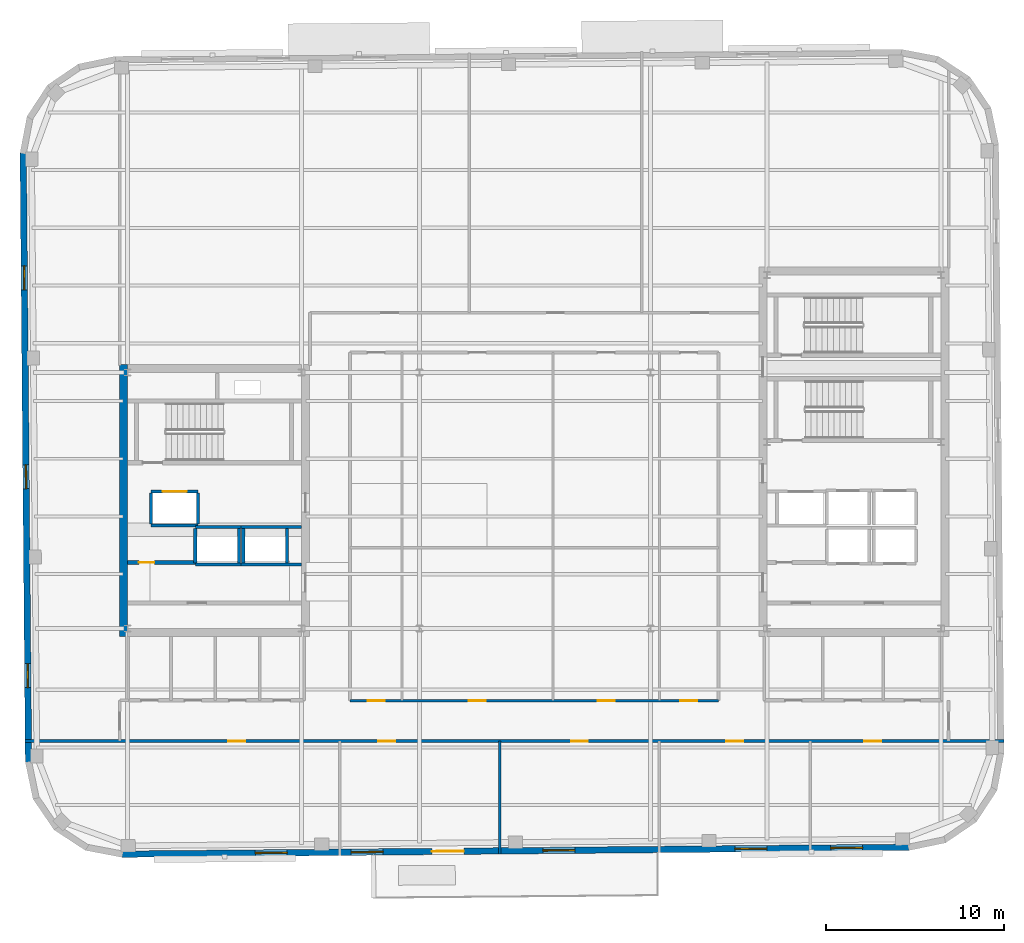
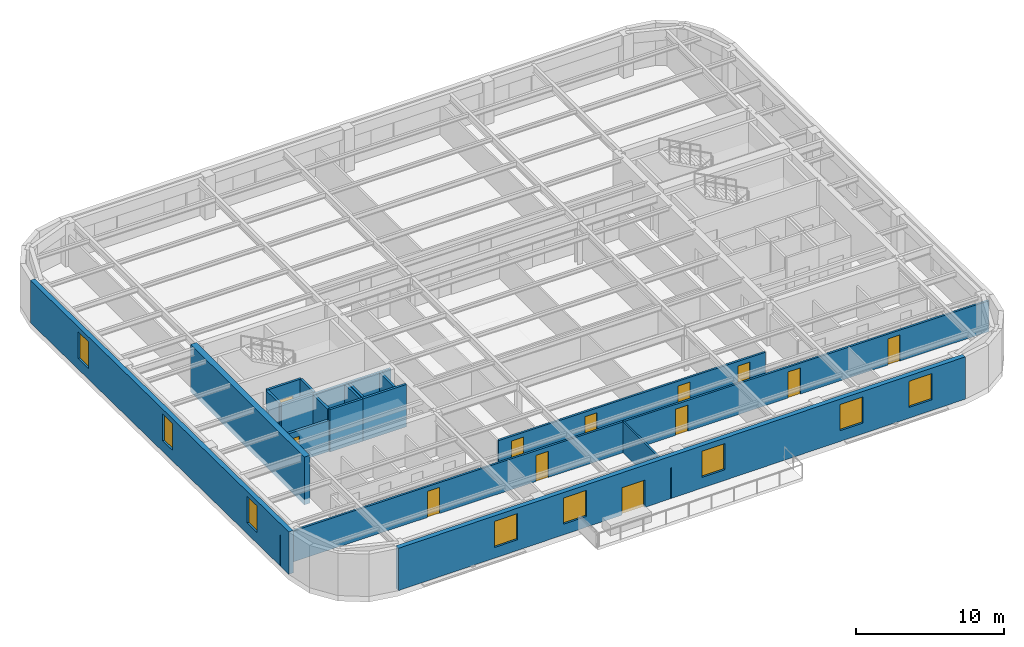
# One storey, part 7 of 14: 19 walls, 12 doors, 8 windows, 20 openings.
"""IFC4 building model written with IfcOpenShell, lengths in metres."""

from ifc_helpers import new_model, si_unit, direction, frame, frame_2d, origin, place, context, subcontext, project, spatial, rectangle, extrude, material, layer, layer_set, type_object, element, fill, save


model = new_model("IFC4")

# Units and contexts
model_context = context("Model", 3, precision=1e-05, world=origin(), true_north=direction((0.0, 1.0)))
body_context = subcontext(model_context, "Body", "Model", "MODEL_VIEW")
ifc_project = project(units=[si_unit("LENGTHUNIT", "METRE"), si_unit("AREAUNIT", "SQUARE_METRE"), si_unit("VOLUMEUNIT", "CUBIC_METRE"), si_unit("PLANEANGLEUNIT", "RADIAN"), si_unit("MASSUNIT", "GRAM", prefix="KILO")], contexts=[model_context])

# Site, building, storey
site_placement = place(None, origin())
site = spatial("IfcSite", under=ifc_project, at=site_placement, CompositionType="ELEMENT")
building_placement = place(site_placement, origin())
building = spatial("IfcBuilding", under=site, at=building_placement, Name="Kolvaren Arena Tower", CompositionType="ELEMENT")
storey_placement = place(building_placement, frame((0.0, 0.0, 274.89990234375)))
storey = spatial("IfcBuildingStorey", under=building, at=storey_placement, Name="L67", CompositionType="ELEMENT", Elevation=274.89990234375)

# Wall, openings, doors
ifc_material_1 = material(Name="Gypsum board acoustic assembly", Category="gypsum")
ifc_layer_1 = layer(ifc_material_1, 0.159912109375)
ifc_layer_set_1 = layer_set([ifc_layer_1], Name="Gypsum board acoustic assembly")
wall_type_1 = type_object("IfcWallType", Name="CORR-160", PredefinedType="PARTITIONING", material=ifc_layer_set_1)
wall_1_placement = place(storey_placement, frame((8.790283203125, 13.10009765625, 0.0), z_axis=(0.0, 0.0, 1.0), x_axis=(1.0, 0.0, 0.0)))
wall_1 = element("IfcWall", 1, at=wall_1_placement, inside=storey, type_object=wall_type_1, Name="Interior Partition Wall (L67)", PredefinedType="PARTITIONING", context=body_context, shape_type="SweptSolid", body=[
    extrude(rectangle(XDim=55.10205078125, YDim=0.159912109375, at=frame_2d((27.551025390625, 0.0))), origin(), (0.0, 0.0, 1.0), 2.5400390625),
])
opening_1_placement = place(wall_1_placement, frame((11.434814453125, 0.0, 0.0)))
opening_1 = element("IfcOpeningElement", 2, at=opening_1_placement, cuts=wall_1, Name="Opening D05", PredefinedType="OPENING", context=body_context, shape_type="SweptSolid", body=[
    extrude(rectangle(XDim=0.949951171875, YDim=2.14990234375, at=frame_2d((0.47509765625, 1.074951171875))), frame((0.0, 0.08984375, 0.0), z_axis=(0.0, -1.0, 0.0), x_axis=(1.0, 0.0, 0.0)), (0.0, 0.0, 1.0), 0.179931640625),
])
opening_2_placement = place(wall_1_placement, frame((19.884765625, 0.0, 0.0)))
opening_2 = element("IfcOpeningElement", 3, at=opening_2_placement, cuts=wall_1, Name="Opening D05", PredefinedType="OPENING", context=body_context, shape_type="SweptSolid", body=[
    extrude(rectangle(XDim=0.949951171875, YDim=2.14990234375, at=frame_2d((0.47509765625, 1.074951171875))), frame((0.0, 0.08984375, 0.0), z_axis=(0.0, -1.0, 0.0), x_axis=(1.0, 0.0, 0.0)), (0.0, 0.0, 1.0), 0.179931640625),
])
opening_3_placement = place(wall_1_placement, frame((30.734619140625, 0.0, 0.0)))
opening_3 = element("IfcOpeningElement", 4, at=opening_3_placement, cuts=wall_1, Name="Opening D05", PredefinedType="OPENING", context=body_context, shape_type="SweptSolid", body=[
    extrude(rectangle(XDim=0.949951171875, YDim=2.14990234375, at=frame_2d((0.47509765625, 1.074951171875))), frame((0.0, 0.08984375, 0.0), z_axis=(0.0, -1.0, 0.0), x_axis=(1.0, 0.0, 0.0)), (0.0, 0.0, 1.0), 0.179931640625),
])
opening_4_placement = place(wall_1_placement, frame((39.484619140625, 0.0, 0.0)))
opening_4 = element("IfcOpeningElement", 5, at=opening_4_placement, cuts=wall_1, Name="Opening D05", PredefinedType="OPENING", context=body_context, shape_type="SweptSolid", body=[
    extrude(rectangle(XDim=0.949951171875, YDim=2.14990234375, at=frame_2d((0.47509765625, 1.074951171875))), frame((0.0, 0.08984375, 0.0), z_axis=(0.0, -1.0, 0.0), x_axis=(1.0, 0.0, 0.0)), (0.0, 0.0, 1.0), 0.179931640625),
])
opening_5_placement = place(wall_1_placement, frame((47.234619140625, 0.0, 0.0)))
opening_5 = element("IfcOpeningElement", 6, at=opening_5_placement, cuts=wall_1, Name="Opening D05", PredefinedType="OPENING", context=body_context, shape_type="SweptSolid", body=[
    extrude(rectangle(XDim=0.949951171875, YDim=2.14990234375, at=frame_2d((0.47509765625, 1.074951171875))), frame((0.0, 0.08984375, 0.0), z_axis=(0.0, -1.0, 0.0), x_axis=(1.0, 0.0, 0.0)), (0.0, 0.0, 1.0), 0.179931640625),
])
ifc_material_2 = material(Name="Solid-core oak acoustic office door", Category="wood")
door_type_1 = type_object("IfcDoorType", Name="DOOR-OF-095", OperationType="NOTDEFINED", PredefinedType="DOOR", material=ifc_material_2)
door_1_placement = place(opening_1_placement, origin())
door_1 = element("IfcDoor", 7, at=door_1_placement, inside=storey, type_object=door_type_1, Name="Client Lounge Door (L67)", OperationType="SINGLE_SWING_LEFT", OverallHeight=2.14990234375, OverallWidth=0.949951171875, PredefinedType="DOOR", context=body_context, shape_type="SweptSolid", body=[
    extrude(rectangle(XDim=0.949951171875, YDim=2.14990234375, at=frame_2d((0.47509765625, 1.074951171875))), frame((0.0, 0.02490234375, 0.0), z_axis=(0.0, -1.0, 0.0), x_axis=(1.0, 0.0, 0.0)), (0.0, 0.0, 1.0), 0.050048828125),
])
fill(opening_1, door_1)
door_2_placement = place(opening_2_placement, origin())
door_2 = element("IfcDoor", 8, at=door_2_placement, inside=storey, type_object=door_type_1, Name="Training Seminar Room Door (L67)", OperationType="SINGLE_SWING_RIGHT", OverallHeight=2.14990234375, OverallWidth=0.949951171875, PredefinedType="DOOR", context=body_context, shape_type="SweptSolid", body=[
    extrude(rectangle(XDim=0.949951171875, YDim=2.14990234375, at=frame_2d((0.47509765625, 1.074951171875))), frame((0.0, 0.02490234375, 0.0), z_axis=(0.0, -1.0, 0.0), x_axis=(1.0, 0.0, 0.0)), (0.0, 0.0, 1.0), 0.050048828125),
])
fill(opening_2, door_2)
door_3_placement = place(opening_3_placement, origin())
door_3 = element("IfcDoor", 9, at=door_3_placement, inside=storey, type_object=door_type_1, Name="Wellness Room Door (L67)", OperationType="SINGLE_SWING_LEFT", OverallHeight=2.14990234375, OverallWidth=0.949951171875, PredefinedType="DOOR", context=body_context, shape_type="SweptSolid", body=[
    extrude(rectangle(XDim=0.949951171875, YDim=2.14990234375, at=frame_2d((0.47509765625, 1.074951171875))), frame((0.0, 0.02490234375, 0.0), z_axis=(0.0, -1.0, 0.0), x_axis=(1.0, 0.0, 0.0)), (0.0, 0.0, 1.0), 0.050048828125),
])
fill(opening_3, door_3)
door_4_placement = place(opening_4_placement, origin())
door_4 = element("IfcDoor", 10, at=door_4_placement, inside=storey, type_object=door_type_1, Name="Executive Office Door (L67)", OperationType="SINGLE_SWING_RIGHT", OverallHeight=2.14990234375, OverallWidth=0.949951171875, PredefinedType="DOOR", context=body_context, shape_type="SweptSolid", body=[
    extrude(rectangle(XDim=0.949951171875, YDim=2.14990234375, at=frame_2d((0.47509765625, 1.074951171875))), frame((0.0, 0.02490234375, 0.0), z_axis=(0.0, -1.0, 0.0), x_axis=(1.0, 0.0, 0.0)), (0.0, 0.0, 1.0), 0.050048828125),
])
fill(opening_4, door_4)
door_5_placement = place(opening_5_placement, origin())
door_5 = element("IfcDoor", 11, at=door_5_placement, inside=storey, type_object=door_type_1, Name="Boardroom Door (L67)", OperationType="SINGLE_SWING_LEFT", OverallHeight=2.14990234375, OverallWidth=0.949951171875, PredefinedType="DOOR", context=body_context, shape_type="SweptSolid", body=[
    extrude(rectangle(XDim=0.949951171875, YDim=2.14990234375, at=frame_2d((0.47509765625, 1.074951171875))), frame((0.0, 0.02490234375, 0.0), z_axis=(0.0, -1.0, 0.0), x_axis=(1.0, 0.0, 0.0)), (0.0, 0.0, 1.0), 0.050048828125),
])
fill(opening_5, door_5)

wall_2_placement = place(storey_placement, frame((27.080078125, 15.3798828125, 0.0), z_axis=(0.0, 0.0, 1.0), x_axis=(1.0, 0.0, 0.0)))
wall_2 = element("IfcWall", 12, at=wall_2_placement, inside=storey, type_object=wall_type_1, Name="Interior Partition Wall (L67)", PredefinedType="PARTITIONING", context=body_context, shape_type="SweptSolid", body=[
    extrude(rectangle(XDim=20.739990234375, YDim=0.159912109375, at=frame_2d((10.3701171875, 0.0))), origin(), (0.0, 0.0, 1.0), 2.5400390625),
])
opening_6_placement = place(wall_2_placement, frame((0.9951171875, 0.0, 0.0)))
opening_6 = element("IfcOpeningElement", 13, at=opening_6_placement, cuts=wall_2, Name="Opening D05", PredefinedType="OPENING", context=body_context, shape_type="SweptSolid", body=[
    extrude(rectangle(XDim=0.949951171875, YDim=2.14990234375, at=frame_2d((0.47509765625, 1.074951171875))), frame((0.0, 0.08984375, 0.0), z_axis=(0.0, -1.0, 0.0), x_axis=(1.0, 0.0, 0.0)), (0.0, 0.0, 1.0), 0.179931640625),
])
opening_7_placement = place(wall_2_placement, frame((6.695068359375, 0.0, 0.0)))
opening_7 = element("IfcOpeningElement", 14, at=opening_7_placement, cuts=wall_2, Name="Opening D05", PredefinedType="OPENING", context=body_context, shape_type="SweptSolid", body=[
    extrude(rectangle(XDim=0.949951171875, YDim=2.14990234375, at=frame_2d((0.47509765625, 1.074951171875))), frame((0.0, 0.08984375, 0.0), z_axis=(0.0, -1.0, 0.0), x_axis=(1.0, 0.0, 0.0)), (0.0, 0.0, 1.0), 0.179931640625),
])
opening_8_placement = place(wall_2_placement, frame((13.945068359375, 0.0, 0.0)))
opening_8 = element("IfcOpeningElement", 15, at=opening_8_placement, cuts=wall_2, Name="Opening D05", PredefinedType="OPENING", context=body_context, shape_type="SweptSolid", body=[
    extrude(rectangle(XDim=0.949951171875, YDim=2.14990234375, at=frame_2d((0.47509765625, 1.074951171875))), frame((0.0, 0.08984375, 0.0), z_axis=(0.0, -1.0, 0.0), x_axis=(1.0, 0.0, 0.0)), (0.0, 0.0, 1.0), 0.179931640625),
])
opening_9_placement = place(wall_2_placement, frame((18.594970703125, 0.0, 0.0)))
opening_9 = element("IfcOpeningElement", 16, at=opening_9_placement, cuts=wall_2, Name="Opening D05", PredefinedType="OPENING", context=body_context, shape_type="SweptSolid", body=[
    extrude(rectangle(XDim=0.949951171875, YDim=2.14990234375, at=frame_2d((0.47509765625, 1.074951171875))), frame((0.0, 0.08984375, 0.0), z_axis=(0.0, -1.0, 0.0), x_axis=(1.0, 0.0, 0.0)), (0.0, 0.0, 1.0), 0.179931640625),
])
door_6_placement = place(opening_6_placement, origin())
door_6 = element("IfcDoor", 17, at=door_6_placement, inside=storey, type_object=door_type_1, Name="Executive Office Door (L67)", OperationType="SINGLE_SWING_RIGHT", OverallHeight=2.14990234375, OverallWidth=0.949951171875, PredefinedType="DOOR", context=body_context, shape_type="SweptSolid", body=[
    extrude(rectangle(XDim=0.949951171875, YDim=2.14990234375, at=frame_2d((0.47509765625, 1.074951171875))), frame((0.0, 0.02490234375, 0.0), z_axis=(0.0, -1.0, 0.0), x_axis=(1.0, 0.0, 0.0)), (0.0, 0.0, 1.0), 0.050048828125),
])
fill(opening_6, door_6)
door_7_placement = place(opening_7_placement, origin())
door_7 = element("IfcDoor", 18, at=door_7_placement, inside=storey, type_object=door_type_1, Name="Breakout Pantry and Kitchen Door (L67)", OperationType="SINGLE_SWING_RIGHT", OverallHeight=2.14990234375, OverallWidth=0.949951171875, PredefinedType="DOOR", context=body_context, shape_type="SweptSolid", body=[
    extrude(rectangle(XDim=0.949951171875, YDim=2.14990234375, at=frame_2d((0.47509765625, 1.074951171875))), frame((0.0, 0.02490234375, 0.0), z_axis=(0.0, -1.0, 0.0), x_axis=(1.0, 0.0, 0.0)), (0.0, 0.0, 1.0), 0.050048828125),
])
fill(opening_7, door_7)
door_8_placement = place(opening_8_placement, origin())
door_8 = element("IfcDoor", 19, at=door_8_placement, inside=storey, type_object=door_type_1, Name="Training Seminar Room Door (L67)", OperationType="SINGLE_SWING_RIGHT", OverallHeight=2.14990234375, OverallWidth=0.949951171875, PredefinedType="DOOR", context=body_context, shape_type="SweptSolid", body=[
    extrude(rectangle(XDim=0.949951171875, YDim=2.14990234375, at=frame_2d((0.47509765625, 1.074951171875))), frame((0.0, 0.02490234375, 0.0), z_axis=(0.0, -1.0, 0.0), x_axis=(1.0, 0.0, 0.0)), (0.0, 0.0, 1.0), 0.050048828125),
])
fill(opening_8, door_8)
door_9_placement = place(opening_9_placement, origin())
door_9 = element("IfcDoor", 20, at=door_9_placement, inside=storey, type_object=door_type_1, Name="Executive Office Door (L67)", OperationType="SINGLE_SWING_RIGHT", OverallHeight=2.14990234375, OverallWidth=0.949951171875, PredefinedType="DOOR", context=body_context, shape_type="SweptSolid", body=[
    extrude(rectangle(XDim=0.949951171875, YDim=2.14990234375, at=frame_2d((0.47509765625, 1.074951171875))), frame((0.0, 0.02490234375, 0.0), z_axis=(0.0, -1.0, 0.0), x_axis=(1.0, 0.0, 0.0)), (0.0, 0.0, 1.0), 0.050048828125),
])
fill(opening_9, door_9)

# Wall
ifc_material_3 = material(Name="Concrete 55 MPa", Category="concrete")
ifc_layer_2 = layer(ifc_material_3, 0.449951171875)
ifc_layer_set_2 = layer_set([ifc_layer_2], Name="Concrete 55 MPa")
wall_type_2 = type_object("IfcWallType", Name="CWALL-450", PredefinedType="SHEAR", material=ifc_layer_set_2)
wall_3_placement = place(storey_placement, frame((14.324951171875, 19.0, -0.449951171875), z_axis=(0.0, 0.0, 1.0), x_axis=(0.0, 1.0, 0.0)))
element("IfcWall", 21, at=wall_3_placement, inside=storey, type_object=wall_type_2, Name="Core Shear Wall WC-WEST (L67)", PredefinedType="SHEAR", context=body_context, shape_type="SweptSolid", body=[
    extrude(rectangle(XDim=15.300048828125, YDim=0.449951171875, at=frame_2d((7.64990234375, 0.0))), origin(), (0.0, 0.0, 1.0), 3.929931640625),
])

# Wall, openings, windows
ifc_material_4 = material(Name="Precast concrete C50/60", Category="concrete")
ifc_layer_3 = layer(ifc_material_4, 0.360107421875)
ifc_layer_set_3 = layer_set([ifc_layer_3], Name="Precast concrete C50/60")
wall_type_3 = type_object("IfcWallType", Name="EXT-PIER2", PredefinedType="SOLIDWALL", material=ifc_layer_set_3)
wall_4_placement = place(storey_placement, frame((8.980712890625, 11.911865234375, 0.0), z_axis=(0.0, 0.0, 1.0), x_axis=(-0.008726453825, 0.999961923777, 0.0)))
wall_4 = element("IfcWall", 22, at=wall_4_placement, inside=storey, type_object=wall_type_3, Name="Exterior Precast Masonry-Frame Wall (L67)", PredefinedType="SOLIDWALL", context=body_context, shape_type="SweptSolid", body=[
    extrude(rectangle(XDim=34.2998046875, YDim=0.360107421875, at=frame_2d((17.14990234375, 0.0))), origin(), (0.0, 0.0, 1.0), 3.47998046875),
])
opening_10_placement = place(wall_4_placement, frame((4.199951171875, 0.0, 0.8798828125)))
opening_10 = element("IfcOpeningElement", 23, at=opening_10_placement, cuts=wall_4, Name="Opening W04", PredefinedType="OPENING", context=body_context, shape_type="SweptSolid", body=[
    extrude(rectangle(XDim=1.35009765625, YDim=2.199951171875, at=frame_2d((0.675048828125, 1.10009765625))), frame((0.0, 0.18994140625, 0.0), z_axis=(0.0, -1.0, 0.0), x_axis=(1.0, 0.0, 0.0)), (0.0, 0.0, 1.0), 0.380126953125),
])
opening_11_placement = place(wall_4_placement, frame((15.39990234375, 0.0, 0.8798828125)))
opening_11 = element("IfcOpeningElement", 24, at=opening_11_placement, cuts=wall_4, Name="Opening W04", PredefinedType="OPENING", context=body_context, shape_type="SweptSolid", body=[
    extrude(rectangle(XDim=1.35009765625, YDim=2.199951171875, at=frame_2d((0.675048828125, 1.10009765625))), frame((0.0, 0.18994140625, 0.0), z_axis=(0.0, -1.0, 0.0), x_axis=(1.0, 0.0, 0.0)), (0.0, 0.0, 1.0), 0.380126953125),
])
opening_12_placement = place(wall_4_placement, frame((26.60009765625, 0.0, 0.8798828125)))
opening_12 = element("IfcOpeningElement", 25, at=opening_12_placement, cuts=wall_4, Name="Opening W04", PredefinedType="OPENING", context=body_context, shape_type="SweptSolid", body=[
    extrude(rectangle(XDim=1.35009765625, YDim=2.199951171875, at=frame_2d((0.675048828125, 1.10009765625))), frame((0.0, 0.18994140625, 0.0), z_axis=(0.0, -1.0, 0.0), x_axis=(1.0, 0.0, 0.0)), (0.0, 0.0, 1.0), 0.380126953125),
])
ifc_material_5 = material(Name="Triple-glazed curved-facet corner window", Category="glass")
window_type_1 = type_object("IfcWindowType", Name="WIN-CRN-A", PartitioningType="SINGLE_PANEL", PredefinedType="WINDOW", material=ifc_material_5)
window_1_placement = place(opening_10_placement, origin())
window_1 = element("IfcWindow", 26, at=window_1_placement, inside=storey, type_object=window_type_1, Name="End-Wall Punched Window (L67)", OverallHeight=2.199951171875, OverallWidth=1.35009765625, PartitioningType="SINGLE_PANEL", PredefinedType="WINDOW", context=body_context, shape_type="SweptSolid", body=[
    extrude(rectangle(XDim=1.35009765625, YDim=2.199951171875, at=frame_2d((0.675048828125, 1.10009765625))), frame((0.0, 0.030029296875, 0.0), z_axis=(0.0, -1.0, 0.0), x_axis=(1.0, 0.0, 0.0)), (0.0, 0.0, 1.0), 0.06005859375),
])
fill(opening_10, window_1)
window_2_placement = place(opening_11_placement, origin())
window_2 = element("IfcWindow", 27, at=window_2_placement, inside=storey, type_object=window_type_1, Name="End-Wall Punched Window (L67)", OverallHeight=2.199951171875, OverallWidth=1.35009765625, PartitioningType="SINGLE_PANEL", PredefinedType="WINDOW", context=body_context, shape_type="SweptSolid", body=[
    extrude(rectangle(XDim=1.35009765625, YDim=2.199951171875, at=frame_2d((0.675048828125, 1.10009765625))), frame((0.0, 0.030029296875, 0.0), z_axis=(0.0, -1.0, 0.0), x_axis=(1.0, 0.0, 0.0)), (0.0, 0.0, 1.0), 0.06005859375),
])
fill(opening_11, window_2)
window_3_placement = place(opening_12_placement, origin())
window_3 = element("IfcWindow", 28, at=window_3_placement, inside=storey, type_object=window_type_1, Name="End-Wall Punched Window (L67)", OverallHeight=2.199951171875, OverallWidth=1.35009765625, PartitioningType="SINGLE_PANEL", PredefinedType="WINDOW", context=body_context, shape_type="SweptSolid", body=[
    extrude(rectangle(XDim=1.35009765625, YDim=2.199951171875, at=frame_2d((0.675048828125, 1.10009765625))), frame((0.0, 0.030029296875, 0.0), z_axis=(0.0, -1.0, 0.0), x_axis=(1.0, 0.0, 0.0)), (0.0, 0.0, 1.0), 0.06005859375),
])
fill(opening_12, window_3)

# Wall, openings, door, windows
wall_5_placement = place(storey_placement, frame((58.544189453125, 7.124267578125, 0.0), z_axis=(0.0, 0.0, 1.0), x_axis=(-0.999961896442, -0.008729585516, 0.0)))
wall_5 = element("IfcWall", 29, at=wall_5_placement, inside=storey, type_object=wall_type_3, Name="Exterior Precast Masonry-Frame Wall (L67)", PredefinedType="SOLIDWALL", context=body_context, shape_type="SweptSolid", body=[
    extrude(rectangle(XDim=44.2998046875, YDim=0.360107421875, at=frame_2d((22.14990234375, 0.0))), origin(), (0.0, 0.0, 1.0), 3.47998046875),
])
opening_13_placement = place(wall_5_placement, frame((25.050048828125, 0.0, 0.0)))
opening_13 = element("IfcOpeningElement", 30, at=opening_13_placement, cuts=wall_5, Name="Opening D10", PredefinedType="OPENING", context=body_context, shape_type="SweptSolid", body=[
    extrude(rectangle(XDim=1.800048828125, YDim=2.25, at=frame_2d((0.89990234375, 1.125))), frame((0.0, 0.18994140625, 0.0), z_axis=(0.0, -1.0, 0.0), x_axis=(1.0, 0.0, 0.0)), (0.0, 0.0, 1.0), 0.380126953125),
])
opening_14_placement = place(wall_5_placement, frame((2.60009765625, 0.0, 0.8798828125)))
opening_14 = element("IfcOpeningElement", 31, at=opening_14_placement, cuts=wall_5, Name="Opening W02", PredefinedType="OPENING", context=body_context, shape_type="SweptSolid", body=[
    extrude(rectangle(XDim=1.800048828125, YDim=2.14990234375, at=frame_2d((0.89990234375, 1.074951171875))), frame((0.0, 0.18994140625, 0.0), z_axis=(0.0, -1.0, 0.0), x_axis=(1.0, 0.0, 0.0)), (0.0, 0.0, 1.0), 0.380126953125),
])
opening_15_placement = place(wall_5_placement, frame((8.0, 0.0, 0.8798828125)))
opening_15 = element("IfcOpeningElement", 32, at=opening_15_placement, cuts=wall_5, Name="Opening W02", PredefinedType="OPENING", context=body_context, shape_type="SweptSolid", body=[
    extrude(rectangle(XDim=1.800048828125, YDim=2.14990234375, at=frame_2d((0.89990234375, 1.074951171875))), frame((0.0, 0.18994140625, 0.0), z_axis=(0.0, -1.0, 0.0), x_axis=(1.0, 0.0, 0.0)), (0.0, 0.0, 1.0), 0.380126953125),
])
opening_16_placement = place(wall_5_placement, frame((18.800048828125, 0.0, 0.8798828125)))
opening_16 = element("IfcOpeningElement", 33, at=opening_16_placement, cuts=wall_5, Name="Opening W02", PredefinedType="OPENING", context=body_context, shape_type="SweptSolid", body=[
    extrude(rectangle(XDim=1.800048828125, YDim=2.14990234375, at=frame_2d((0.89990234375, 1.074951171875))), frame((0.0, 0.18994140625, 0.0), z_axis=(0.0, -1.0, 0.0), x_axis=(1.0, 0.0, 0.0)), (0.0, 0.0, 1.0), 0.380126953125),
])
opening_17_placement = place(wall_5_placement, frame((29.60009765625, 0.0, 0.8798828125)))
opening_17 = element("IfcOpeningElement", 34, at=opening_17_placement, cuts=wall_5, Name="Opening W02", PredefinedType="OPENING", context=body_context, shape_type="SweptSolid", body=[
    extrude(rectangle(XDim=1.800048828125, YDim=2.14990234375, at=frame_2d((0.89990234375, 1.074951171875))), frame((0.0, 0.18994140625, 0.0), z_axis=(0.0, -1.0, 0.0), x_axis=(1.0, 0.0, 0.0)), (0.0, 0.0, 1.0), 0.380126953125),
])
opening_18_placement = place(wall_5_placement, frame((35.0, 0.0, 0.8798828125)))
opening_18 = element("IfcOpeningElement", 35, at=opening_18_placement, cuts=wall_5, Name="Opening W02", PredefinedType="OPENING", context=body_context, shape_type="SweptSolid", body=[
    extrude(rectangle(XDim=1.800048828125, YDim=2.14990234375, at=frame_2d((0.89990234375, 1.074951171875))), frame((0.0, 0.18994140625, 0.0), z_axis=(0.0, -1.0, 0.0), x_axis=(1.0, 0.0, 0.0)), (0.0, 0.0, 1.0), 0.380126953125),
])
ifc_material_6 = material(Name="Thermally broken glazed terrace door", Category="aluminium")
door_type_2 = type_object("IfcDoorType", Name="DOOR-TR-180", OperationType="DOUBLE_DOOR_SINGLE_SWING", PredefinedType="DOOR", material=ifc_material_6)
door_10_placement = place(opening_13_placement, origin())
door_10 = element("IfcDoor", 36, at=door_10_placement, inside=storey, type_object=door_type_2, Name="Setback Roof Terrace Access Door (L67)", OperationType="DOUBLE_DOOR_SINGLE_SWING", OverallHeight=2.25, OverallWidth=1.800048828125, PredefinedType="DOOR", context=body_context, shape_type="SweptSolid", body=[
    extrude(rectangle(XDim=1.800048828125, YDim=2.25, at=frame_2d((0.89990234375, 1.125))), frame((0.0, 0.02490234375, 0.0), z_axis=(0.0, -1.0, 0.0), x_axis=(1.0, 0.0, 0.0)), (0.0, 0.0, 1.0), 0.050048828125),
])
fill(opening_13, door_10)
ifc_material_7 = material(Name="Triple-glazed low-E aluminium window", Category="aluminium")
window_type_2 = type_object("IfcWindowType", Name="WIN-OFF-B", PartitioningType="DOUBLE_PANEL_VERTICAL", PredefinedType="WINDOW", material=ifc_material_7)
window_4_placement = place(opening_14_placement, origin())
window_4 = element("IfcWindow", 37, at=window_4_placement, inside=storey, type_object=window_type_2, Name="Punched Precast-Pier Window (L67)", OverallHeight=2.14990234375, OverallWidth=1.800048828125, PartitioningType="DOUBLE_PANEL_VERTICAL", PredefinedType="WINDOW", context=body_context, shape_type="SweptSolid", body=[
    extrude(rectangle(XDim=1.800048828125, YDim=2.14990234375, at=frame_2d((0.89990234375, 1.074951171875))), frame((0.0, 0.030029296875, 0.0), z_axis=(0.0, -1.0, 0.0), x_axis=(1.0, 0.0, 0.0)), (0.0, 0.0, 1.0), 0.06005859375),
])
fill(opening_14, window_4)
window_5_placement = place(opening_15_placement, origin())
window_5 = element("IfcWindow", 38, at=window_5_placement, inside=storey, type_object=window_type_2, Name="Punched Precast-Pier Window (L67)", OverallHeight=2.14990234375, OverallWidth=1.800048828125, PartitioningType="DOUBLE_PANEL_VERTICAL", PredefinedType="WINDOW", context=body_context, shape_type="SweptSolid", body=[
    extrude(rectangle(XDim=1.800048828125, YDim=2.14990234375, at=frame_2d((0.89990234375, 1.074951171875))), frame((0.0, 0.030029296875, 0.0), z_axis=(0.0, -1.0, 0.0), x_axis=(1.0, 0.0, 0.0)), (0.0, 0.0, 1.0), 0.06005859375),
])
fill(opening_15, window_5)
window_6_placement = place(opening_16_placement, origin())
window_6 = element("IfcWindow", 39, at=window_6_placement, inside=storey, type_object=window_type_2, Name="Punched Precast-Pier Window (L67)", OverallHeight=2.14990234375, OverallWidth=1.800048828125, PartitioningType="DOUBLE_PANEL_VERTICAL", PredefinedType="WINDOW", context=body_context, shape_type="SweptSolid", body=[
    extrude(rectangle(XDim=1.800048828125, YDim=2.14990234375, at=frame_2d((0.89990234375, 1.074951171875))), frame((0.0, 0.030029296875, 0.0), z_axis=(0.0, -1.0, 0.0), x_axis=(1.0, 0.0, 0.0)), (0.0, 0.0, 1.0), 0.06005859375),
])
fill(opening_16, window_6)
window_7_placement = place(opening_17_placement, origin())
window_7 = element("IfcWindow", 40, at=window_7_placement, inside=storey, type_object=window_type_2, Name="Punched Precast-Pier Window (L67)", OverallHeight=2.14990234375, OverallWidth=1.800048828125, PartitioningType="DOUBLE_PANEL_VERTICAL", PredefinedType="WINDOW", context=body_context, shape_type="SweptSolid", body=[
    extrude(rectangle(XDim=1.800048828125, YDim=2.14990234375, at=frame_2d((0.89990234375, 1.074951171875))), frame((0.0, 0.030029296875, 0.0), z_axis=(0.0, -1.0, 0.0), x_axis=(1.0, 0.0, 0.0)), (0.0, 0.0, 1.0), 0.06005859375),
])
fill(opening_17, window_7)
window_8_placement = place(opening_18_placement, origin())
window_8 = element("IfcWindow", 41, at=window_8_placement, inside=storey, type_object=window_type_2, Name="Punched Precast-Pier Window (L67)", OverallHeight=2.14990234375, OverallWidth=1.800048828125, PartitioningType="DOUBLE_PANEL_VERTICAL", PredefinedType="WINDOW", context=body_context, shape_type="SweptSolid", body=[
    extrude(rectangle(XDim=1.800048828125, YDim=2.14990234375, at=frame_2d((0.89990234375, 1.074951171875))), frame((0.0, 0.030029296875, 0.0), z_axis=(0.0, -1.0, 0.0), x_axis=(1.0, 0.0, 0.0)), (0.0, 0.0, 1.0), 0.06005859375),
])
fill(opening_18, window_8)

# Wall, opening, door
ifc_material_8 = material(Name="Concrete 40 MPa", Category="concrete")
ifc_layer_4 = layer(ifc_material_8, 0.199951171875)
ifc_layer_set_4 = layer_set([ifc_layer_4], Name="Concrete 40 MPa")
wall_type_4 = type_object("IfcWallType", Name="LOBBY-200", PredefinedType="SOLIDWALL", material=ifc_layer_set_4)
wall_6_placement = place(storey_placement, frame((14.550048828125, 23.159912109375, 0.0), z_axis=(0.0, 0.0, 1.0), x_axis=(1.0, 0.0, 0.0)))
wall_6 = element("IfcWall", 42, at=wall_6_placement, inside=storey, type_object=wall_type_4, Name="Core Shaft Wall (L67)", PredefinedType="SOLIDWALL", context=body_context, shape_type="SweptSolid", body=[
    extrude(rectangle(XDim=3.820068359375, YDim=0.199951171875, at=frame_2d((1.91015625, 0.0))), origin(), (0.0, 0.0, 1.0), 2.5400390625),
])
opening_19_placement = place(wall_6_placement, frame((0.64990234375, 0.0, 0.0)))
opening_19 = element("IfcOpeningElement", 43, at=opening_19_placement, cuts=wall_6, Name="Opening D09", PredefinedType="OPENING", context=body_context, shape_type="SweptSolid", body=[
    extrude(rectangle(XDim=0.860107421875, YDim=2.050048828125, at=frame_2d((0.43017578125, 1.02490234375))), frame((0.0, 0.10986328125, 0.0), z_axis=(0.0, -1.0, 0.0), x_axis=(1.0, 0.0, 0.0)), (0.0, 0.0, 1.0), 0.219970703125),
])
ifc_material_9 = material(Name="Fire-rated steel riser access door", Category="steel")
door_type_3 = type_object("IfcDoorType", Name="DOOR-RS-086", OperationType="NOTDEFINED", PredefinedType="DOOR", material=ifc_material_9)
door_11_placement = place(opening_19_placement, origin())
door_11 = element("IfcDoor", 44, at=door_11_placement, inside=storey, type_object=door_type_3, Name="West Document Archive Riser Door (L67)", OperationType="SINGLE_SWING_RIGHT", OverallHeight=2.050048828125, OverallWidth=0.860107421875, PredefinedType="DOOR", context=body_context, shape_type="SweptSolid", body=[
    extrude(rectangle(XDim=0.860107421875, YDim=2.050048828125, at=frame_2d((0.43017578125, 1.02490234375))), frame((0.0, 0.02490234375, 0.0), z_axis=(0.0, -1.0, 0.0), x_axis=(1.0, 0.0, 0.0)), (0.0, 0.0, 1.0), 0.050048828125),
])
fill(opening_19, door_11)

# Walls
ifc_material_10 = material(Name="Gypsum board partition assembly", Category="gypsum")
ifc_layer_5 = layer(ifc_material_10, 0.135009765625)
ifc_layer_set_5 = layer_set([ifc_layer_5], Name="Gypsum board partition assembly")
wall_type_5 = type_object("IfcWallType", Name="PART-135", PredefinedType="PARTITIONING", material=ifc_layer_set_5)
wall_7_placement = place(storey_placement, frame((35.5, 6.7431640625, 0.0), z_axis=(0.0, 0.0, 1.0), x_axis=(0.0, 1.0, 0.0)))
element("IfcWall", 45, at=wall_7_placement, inside=storey, type_object=wall_type_5, Name="Interior Partition Wall (L67)", PredefinedType="PARTITIONING", context=body_context, shape_type="SweptSolid", body=[
    extrude(rectangle(XDim=6.35693359375, YDim=0.135009765625, at=frame_2d((3.178466796875, 0.0))), origin(), (0.0, 0.0, 1.0), 2.5400390625),
])
ifc_material_11 = material(Name="Concrete 45 MPa", Category="concrete")
ifc_layer_6 = layer(ifc_material_11, 0.25)
ifc_layer_set_6 = layer_set([ifc_layer_6], Name="Concrete 45 MPa")
wall_type_6 = type_object("IfcWallType", Name="SHAFT-250", PredefinedType="SOLIDWALL", material=ifc_layer_set_6)
for number, where, z_axis, x_axis, name in (
    (46, (18.3701171875, 25.155029296875, 0.0), (0.0, 0.0, 1.0), (1.0, 0.0, 0.0), "Core Shaft Wall (L67)"),
    (47, (18.3701171875, 23.044921875, 0.0), (0.0, 0.0, 1.0), (1.0, 0.0, 0.0), "Core Shaft Wall (L67)"),
):
    element("IfcWall", number, at=place(storey_placement, frame(where, z_axis=z_axis, x_axis=x_axis)), inside=storey, type_object=wall_type_6, Name=name, PredefinedType="SOLIDWALL", context=body_context, shape_type="SweptSolid", body=[
        extrude(rectangle(XDim=2.579833984375, YDim=0.179931640625, at=frame_2d((1.2900390625, 0.0))), origin(), (0.0, 0.0, 1.0), 3.47998046875),
    ])
for number, where, z_axis, x_axis, name in (
    (48, (18.3701171875, 23.135009765625, 0.0), (0.0, 0.0, 1.0), (0.0, 1.0, 0.0), "Core Shaft Wall (L67)"),
    (49, (20.830078125, 23.135009765625, 0.0), (0.0, 0.0, 1.0), (0.0, 1.0, 0.0), "Core Shaft Wall (L67)"),
):
    element("IfcWall", number, at=place(storey_placement, frame(where, z_axis=z_axis, x_axis=x_axis)), inside=storey, type_object=wall_type_6, Name=name, PredefinedType="SOLIDWALL", context=body_context, shape_type="SweptSolid", body=[
        extrude(rectangle(XDim=1.929931640625, YDim=0.179931640625, at=frame_2d((0.96484375, 0.0))), origin(), (0.0, 0.0, 1.0), 3.47998046875),
    ])
for number, where, z_axis, x_axis, name in (
    (50, (20.949951171875, 25.155029296875, 0.0), (0.0, 0.0, 1.0), (1.0, 0.0, 0.0), "Core Shaft Wall (L67)"),
    (51, (20.949951171875, 23.044921875, 0.0), (0.0, 0.0, 1.0), (1.0, 0.0, 0.0), "Core Shaft Wall (L67)"),
):
    element("IfcWall", number, at=place(storey_placement, frame(where, z_axis=z_axis, x_axis=x_axis)), inside=storey, type_object=wall_type_6, Name=name, PredefinedType="SOLIDWALL", context=body_context, shape_type="SweptSolid", body=[
        extrude(rectangle(XDim=3.400146484375, YDim=0.179931640625, at=frame_2d((1.7001953125, 0.0))), origin(), (0.0, 0.0, 1.0), 3.47998046875),
    ])
for number, where, z_axis, x_axis, name in (
    (52, (21.070068359375, 23.135009765625, 0.0), (0.0, 0.0, 1.0), (0.0, 1.0, 0.0), "Core Shaft Wall (L67)"),
    (53, (23.530029296875, 23.135009765625, 0.0), (0.0, 0.0, 1.0), (0.0, 1.0, 0.0), "Core Shaft Wall (L67)"),
):
    element("IfcWall", number, at=place(storey_placement, frame(where, z_axis=z_axis, x_axis=x_axis)), inside=storey, type_object=wall_type_6, Name=name, PredefinedType="SOLIDWALL", context=body_context, shape_type="SweptSolid", body=[
        extrude(rectangle(XDim=1.929931640625, YDim=0.179931640625, at=frame_2d((0.96484375, 0.0))), origin(), (0.0, 0.0, 1.0), 3.47998046875),
    ])

# Wall, opening, door
wall_8_placement = place(storey_placement, frame((15.8701171875, 27.155029296875, 0.0), z_axis=(0.0, 0.0, 1.0), x_axis=(1.0, 0.0, 0.0)))
wall_8 = element("IfcWall", 54, at=wall_8_placement, inside=storey, type_object=wall_type_6, Name="Core Shaft Wall (L67)", PredefinedType="SOLIDWALL", context=body_context, shape_type="SweptSolid", body=[
    extrude(rectangle(XDim=2.659912109375, YDim=0.179931640625, at=frame_2d((1.330078125, 0.0))), origin(), (0.0, 0.0, 1.0), 3.47998046875),
])
opening_20_placement = place(wall_8_placement, frame((0.655029296875, 0.0, 0.0)))
opening_20 = element("IfcOpeningElement", 55, at=opening_20_placement, cuts=wall_8, Name="Opening LD2", PredefinedType="OPENING", context=body_context, shape_type="SweptSolid", body=[
    extrude(rectangle(XDim=1.35009765625, YDim=2.300048828125, at=frame_2d((0.675048828125, 1.14990234375))), frame((0.0, 0.099853515625, 0.0), z_axis=(0.0, -1.0, 0.0), x_axis=(1.0, 0.0, 0.0)), (0.0, 0.0, 1.0), 0.199951171875),
])
ifc_material_12 = material(Name="Stainless steel firefighter lift landing door", Category="steel")
door_type_4 = type_object("IfcDoorType", Name="DOOR-LD-135", OperationType="DOUBLE_DOOR_SLIDING", PredefinedType="DOOR", material=ifc_material_12)
door_12_placement = place(opening_20_placement, origin())
door_12 = element("IfcDoor", 56, at=door_12_placement, inside=storey, type_object=door_type_4, Name="Firefighter Lift FF-W1 Landing Door (L67)", OperationType="DOUBLE_DOOR_SLIDING", OverallHeight=2.300048828125, OverallWidth=1.35009765625, PredefinedType="DOOR", context=body_context, shape_type="SweptSolid", body=[
    extrude(rectangle(XDim=1.35009765625, YDim=2.300048828125, at=frame_2d((0.675048828125, 1.14990234375))), frame((0.0, 0.02490234375, 0.0), z_axis=(0.0, -1.0, 0.0), x_axis=(1.0, 0.0, 0.0)), (0.0, 0.0, 1.0), 0.050048828125),
])
fill(opening_20, door_12)

# Walls
wall_9_placement = place(storey_placement, frame((15.8701171875, 25.2451171875, 0.0), z_axis=(0.0, 0.0, 1.0), x_axis=(1.0, 0.0, 0.0)))
element("IfcWall", 57, at=wall_9_placement, inside=storey, type_object=wall_type_6, Name="Core Shaft Wall (L67)", PredefinedType="SOLIDWALL", context=body_context, shape_type="SweptSolid", body=[
    extrude(rectangle(XDim=2.659912109375, YDim=0.179931640625, at=frame_2d((1.330078125, 0.0))), origin(), (0.0, 0.0, 1.0), 3.47998046875),
])
for number, where, z_axis, x_axis, name in (
    (58, (15.8701171875, 25.3349609375, 0.0), (0.0, 0.0, 1.0), (0.0, 1.0, 0.0), "Core Shaft Wall (L67)"),
    (59, (18.530029296875, 25.3349609375, 0.0), (0.0, 0.0, 1.0), (0.0, 1.0, 0.0), "Core Shaft Wall (L67)"),
):
    element("IfcWall", number, at=place(storey_placement, frame(where, z_axis=z_axis, x_axis=x_axis)), inside=storey, type_object=wall_type_6, Name=name, PredefinedType="SOLIDWALL", context=body_context, shape_type="SweptSolid", body=[
        extrude(rectangle(XDim=1.72998046875, YDim=0.179931640625, at=frame_2d((0.864990234375, 0.0))), origin(), (0.0, 0.0, 1.0), 3.47998046875),
    ])

save(model, "model.ifc")
